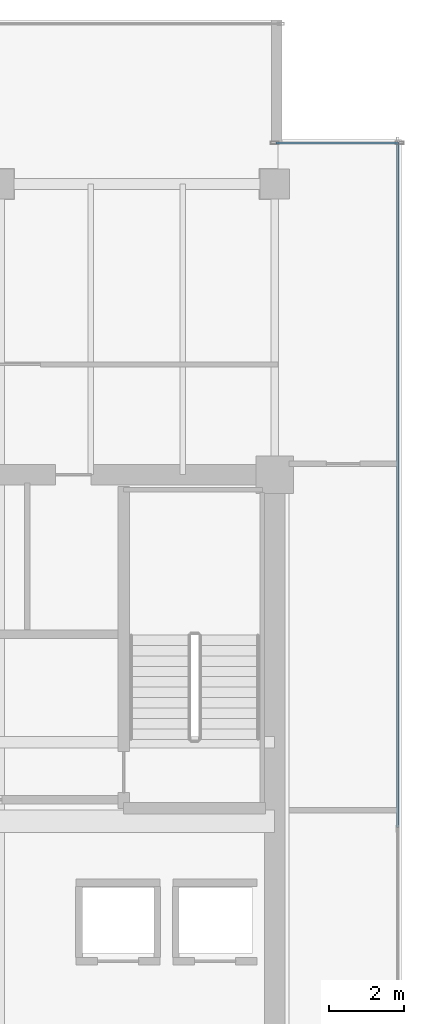
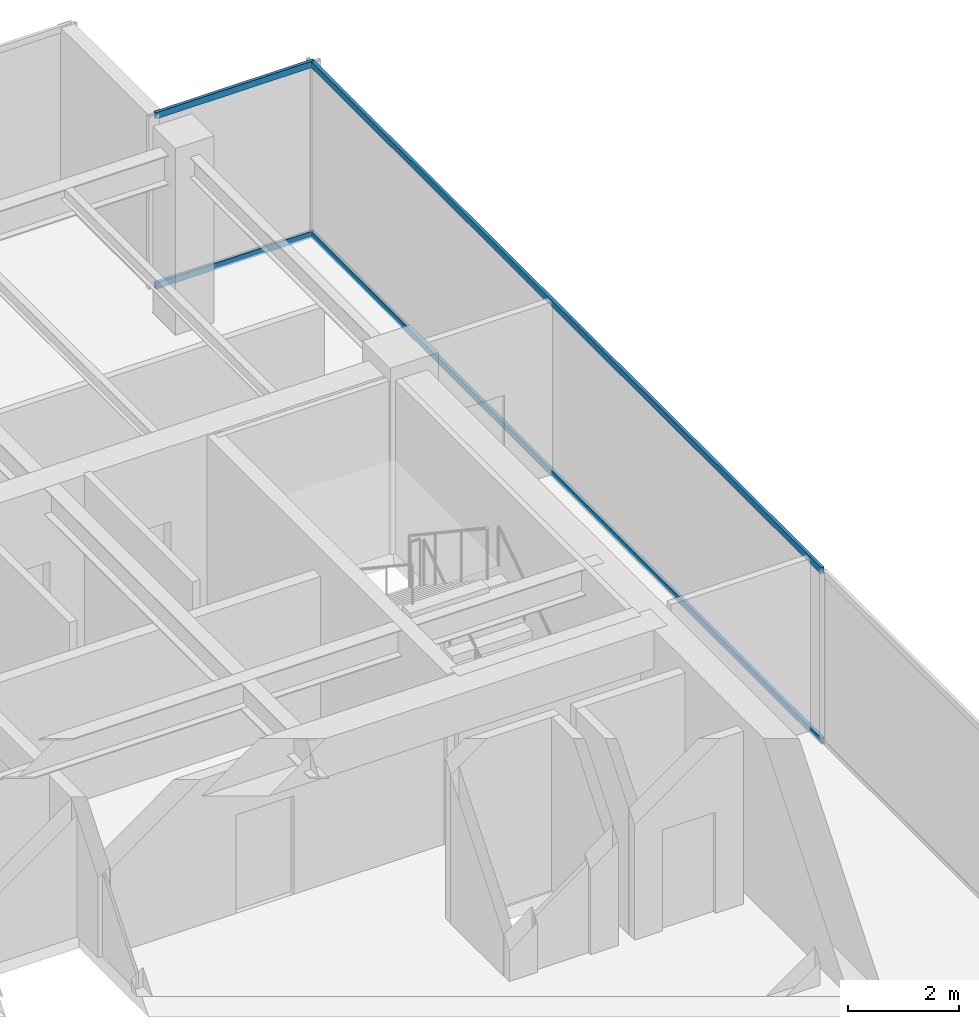
# One storey, part 25 of 35: 4 members, 2 elements without a shape of their own.
"""IFC4 building model written with IfcOpenShell, lengths in metres."""

from ifc_helpers import new_model, si_unit, direction, frame, origin, origin_2d, place, context, subcontext, project, spatial, hollow_rectangle, extrude, source, transform, mapped, material, layer, layer_set, material_profile, profile_set, type_object, type_shapes, element, aggregate, save


model = new_model("IFC4")

# Units and contexts
model_context = context("Model", 3, precision=1e-05, world=origin(), true_north=direction((0.0, 1.0)))
body_context = subcontext(model_context, "Body", "Model", "MODEL_VIEW")
ifc_project = project(units=[si_unit("LENGTHUNIT", "METRE"), si_unit("AREAUNIT", "SQUARE_METRE"), si_unit("VOLUMEUNIT", "CUBIC_METRE"), si_unit("PLANEANGLEUNIT", "RADIAN"), si_unit("MASSUNIT", "GRAM", prefix="KILO")], contexts=[model_context])

# Site, building, storey
site_placement = place(None, origin())
site = spatial("IfcSite", under=ifc_project, at=site_placement, CompositionType="ELEMENT")
building_placement = place(site_placement, origin())
building = spatial("IfcBuilding", under=site, at=building_placement, Name="Haelvirn Gate Laboratories", CompositionType="ELEMENT")
storey_placement = place(building_placement, frame((0.0, 0.0, 226.0)))
storey = spatial("IfcBuildingStorey", under=building, at=storey_placement, Name="L54", CompositionType="ELEMENT", Elevation=226.0)

# Curtain wall, members
ifc_material_1 = material(Name="Anodised bronze unitised aluminium & triple low-E glass", Category="aluminium")
ifc_layer_1 = layer(ifc_material_1, 0.181884765625, Name="CW-SYS-5")
ifc_layer_set_1 = layer_set([ifc_layer_1], Name="Anodised bronze unitised aluminium & triple low-E glass")
curtain_wall_type_1 = type_object("IfcCurtainWallType", Name="CW-SYS-5", PredefinedType="NOTDEFINED", material=ifc_layer_set_1)
curtain_wall_1_placement = place(storey_placement, origin())
curtain_wall_1 = element("IfcCurtainWall", 1, at=curtain_wall_1_placement, inside=storey, type_object=curtain_wall_type_1, Name="L54 Unitised Curtain Wall CW-L54-P0-E08-1", PredefinedType="NOTDEFINED")
ifc_material_2 = material(Name="Extruded aluminium 6063-T6 (anodised bronze)", Category="aluminium")
ifc_material_profile = material_profile(ifc_material_2, hollow_rectangle(XDim=0.06494140625, YDim=0.139892578125, WallThickness=0.00390625, at=origin_2d()), Name="CWT-140x65x4")
ifc_profile_set = profile_set([ifc_material_profile], Name="Extruded aluminium 6063-T6 (anodised bronze)")
member_type = type_object("IfcMemberType", Name="CWT-T140", PredefinedType="USERDEFINED", material=ifc_profile_set)
shared_shape_1 = source(origin(), body_context, "Body", "SweptSolid", [
    extrude(hollow_rectangle(XDim=0.06494140625, YDim=0.139892578125, WallThickness=0.00390625, at=origin_2d()), origin(), (0.0, 0.0, 1.0), 3.280029296875),
])
member_1_placement = place(storey_placement, frame((67.43994140625, 42.699951171875, 0.032470703125), z_axis=(1.0, 0.0, 0.0), x_axis=(0.0, 1.0, 0.0)))
member_1 = element("IfcMember", 2, at=member_1_placement, type_object=member_type, Name="CW5 transom 1.1", ObjectType="TRANSOM", PredefinedType="USERDEFINED", context=body_context, shape_type="MappedRepresentation", body=[
    mapped(shared_shape_1, transform((0.0, 0.0, 0.0), scale=1.0)),
])
member_2_placement = place(storey_placement, frame((67.43994140625, 42.699951171875, 3.767578125), z_axis=(1.0, 0.0, 0.0), x_axis=(0.0, 1.0, 0.0)))
member_2 = element("IfcMember", 3, at=member_2_placement, type_object=member_type, Name="CW5 transom 1.2", ObjectType="TRANSOM", PredefinedType="USERDEFINED", context=body_context, shape_type="MappedRepresentation", body=[
    mapped(shared_shape_1, transform((0.0, 0.0, 0.0), scale=1.0)),
])
aggregate(curtain_wall_1, [member_1, member_2])

ifc_layer_2 = layer(ifc_material_1, 0.176025390625, Name="CW-SYS-4")
ifc_layer_set_2 = layer_set([ifc_layer_2], Name="Anodised bronze unitised aluminium & triple low-E glass")
curtain_wall_type_2 = type_object("IfcCurtainWallType", Name="CW-SYS-4", PredefinedType="NOTDEFINED", material=ifc_layer_set_2)
curtain_wall_2_placement = place(storey_placement, origin())
curtain_wall_2 = element("IfcCurtainWall", 4, at=curtain_wall_2_placement, inside=storey, type_object=curtain_wall_type_2, Name="L54 Unitised Curtain Wall CW-L54-P0-E07", PredefinedType="NOTDEFINED")
shared_shape_2 = source(origin(), body_context, "Body", "SweptSolid", [
    extrude(hollow_rectangle(XDim=0.06494140625, YDim=0.139892578125, WallThickness=0.00390625, at=origin_2d()), origin(), (0.0, 0.0, 1.0), 18.39501953125),
])
type_shapes(member_type, [shared_shape_1, shared_shape_2])
member_3_placement = place(storey_placement, frame((70.699951171875, 24.3349609375, 0.032470703125), z_axis=(0.0, 1.0, 0.0), x_axis=(-1.0, 0.0, 0.0)))
member_3 = element("IfcMember", 5, at=member_3_placement, type_object=member_type, Name="CW4 transom 2.1", ObjectType="TRANSOM", PredefinedType="USERDEFINED", context=body_context, shape_type="MappedRepresentation", body=[
    mapped(shared_shape_2, transform((0.0, 0.0, 0.0), scale=1.0)),
])
member_4_placement = place(storey_placement, frame((70.699951171875, 24.3349609375, 3.767578125), z_axis=(0.0, 1.0, 0.0), x_axis=(-1.0, 0.0, 0.0)))
member_4 = element("IfcMember", 6, at=member_4_placement, type_object=member_type, Name="CW4 transom 2.2", ObjectType="TRANSOM", PredefinedType="USERDEFINED", context=body_context, shape_type="MappedRepresentation", body=[
    mapped(shared_shape_2, transform((0.0, 0.0, 0.0), scale=1.0)),
])
aggregate(curtain_wall_2, [member_3, member_4])

save(model, "model.ifc")
